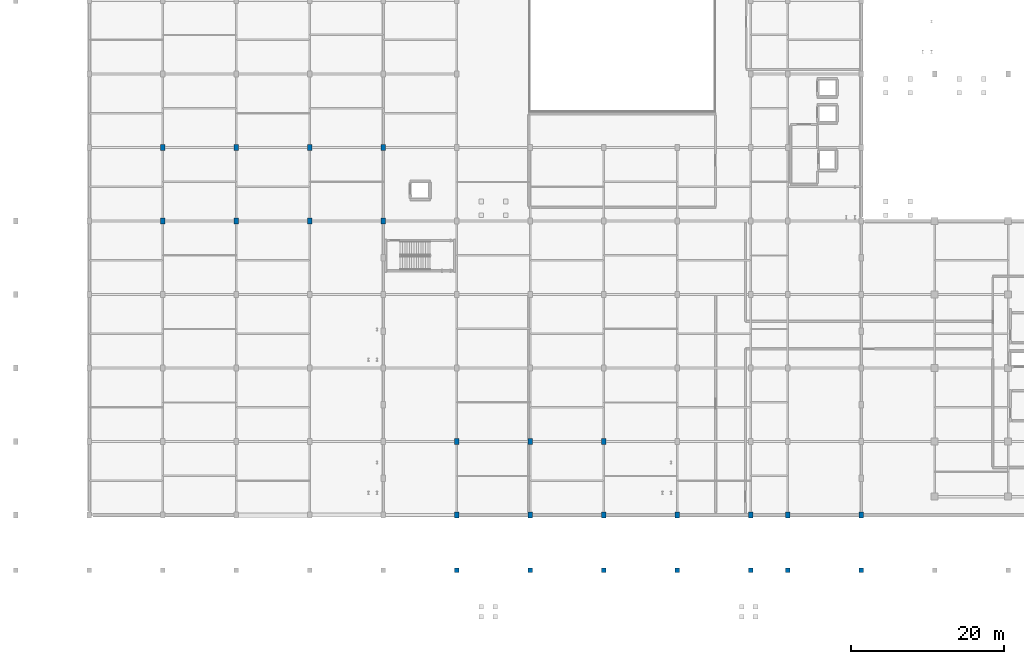
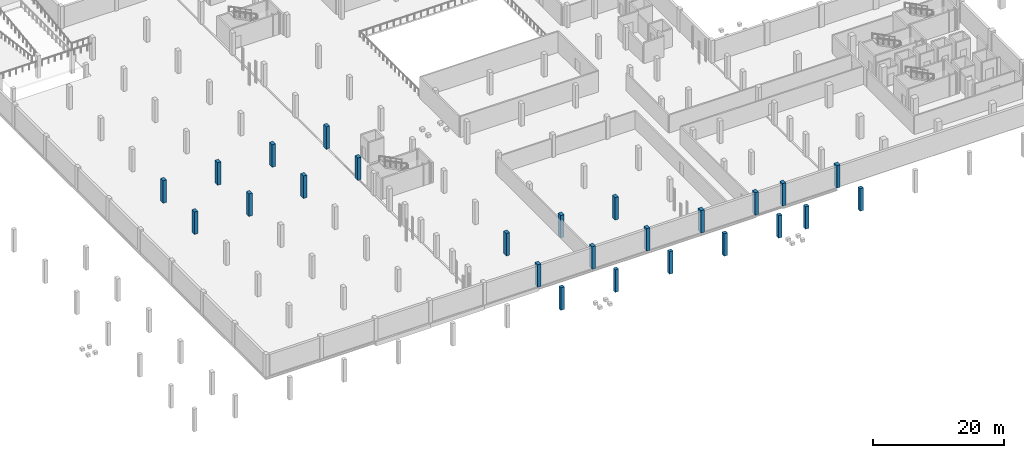
# One storey, part 5 of 47: 25 columns.
"""IFC4 building model written with IfcOpenShell, lengths in metres."""

from ifc_helpers import new_model, si_unit, direction, frame, origin, origin_2d, place, context, subcontext, project, spatial, rectangle, extrude, material, material_profile, profile_set, type_object, element, save


model = new_model("IFC4")

# Units and contexts
model_context = context("Model", 3, precision=1e-05, world=origin(), true_north=direction((0.0, 1.0)))
body_context = subcontext(model_context, "Body", "Model", "MODEL_VIEW")
ifc_project = project(units=[si_unit("LENGTHUNIT", "METRE"), si_unit("AREAUNIT", "SQUARE_METRE"), si_unit("VOLUMEUNIT", "CUBIC_METRE"), si_unit("PLANEANGLEUNIT", "RADIAN"), si_unit("MASSUNIT", "GRAM", prefix="KILO")], contexts=[model_context])

# Site, building, storey
site_placement = place(None, origin())
site = spatial("IfcSite", under=ifc_project, at=site_placement, CompositionType="ELEMENT")
building_placement = place(site_placement, origin())
building = spatial("IfcBuilding", under=site, at=building_placement, Name="Zevrakil Square Congress Hotel", CompositionType="ELEMENT")
storey_placement = place(building_placement, frame((0.0, 0.0, -4.199951171875)))
storey = spatial("IfcBuildingStorey", under=building, at=storey_placement, Name="B1", CompositionType="ELEMENT", Elevation=-4.199951171875)

# Columns
ifc_material_1 = material(Name="Concrete C40/50", Category="concrete")
ifc_material_profile_1 = material_profile(ifc_material_1, rectangle(XDim=0.60009765625, YDim=0.60009765625, at=origin_2d()), Name="RC 600x600")
ifc_profile_set_1 = profile_set([ifc_material_profile_1], Name="Concrete C40/50")
column_type_1 = type_object("IfcColumnType", Name="COL-RC600", PredefinedType="COLUMN", material=ifc_profile_set_1)
for number, where, z_axis, x_axis, name in (
    (1, (64.800048828125, 0.0, 0.0), (0.0, 0.0, 1.0), (1.0, 0.0, 0.0), "B1 column C-099"),
    (2, (74.39990234375, 0.0, 0.0), (0.0, 0.0, 1.0), (1.0, 0.0, 0.0), "B1 column C-113"),
    (3, (84.0, 0.0, 0.0), (0.0, 0.0, 1.0), (1.0, 0.0, 0.0), "B1 column C-125"),
    (4, (93.60009765625, 0.0, 0.0), (0.0, 0.0, 1.0), (1.0, 0.0, 0.0), "B1 column C-137"),
    (5, (103.199951171875, 0.0, 0.0), (0.0, 0.0, 1.0), (1.0, 0.0, 0.0), "B1 column C-149"),
    (6, (108.0, 0.0, 0.0), (0.0, 0.0, 1.0), (1.0, 0.0, 0.0), "B1 column C-163"),
    (7, (117.60009765625, 0.0, 0.0), (0.0, 0.0, 1.0), (1.0, 0.0, 0.0), "B1 column C-177"),
):
    element("IfcColumn", number, at=place(storey_placement, frame(where, z_axis=z_axis, x_axis=x_axis)), inside=storey, type_object=column_type_1, Name=name, PredefinedType="COLUMN", context=body_context, shape_type="SweptSolid", body=[
        extrude(rectangle(XDim=0.60009765625, YDim=0.60009765625, at=origin_2d()), origin(), (0.0, 0.0, 1.0), 4.199951171875),
    ])
ifc_material_2 = material(Name="Concrete C40/50", Category="concrete")
ifc_material_profile_2 = material_profile(ifc_material_2, rectangle(XDim=0.60009765625, YDim=0.800048828125, at=origin_2d()), Name="RC 600x800")
ifc_profile_set_2 = profile_set([ifc_material_profile_2], Name="Concrete C40/50")
column_type_2 = type_object("IfcColumnType", Name="COL-RC600x800", PredefinedType="COLUMN", material=ifc_profile_set_2)
for number, where, z_axis, x_axis, name in (
    (8, (26.39990234375, 45.60009765625, 0.0), (0.0, 0.0, 1.0), (1.0, 0.0, 0.0), "B1 column C-045"),
    (9, (26.39990234375, 55.199951171875, 0.0), (0.0, 0.0, 1.0), (1.0, 0.0, 0.0), "B1 column C-046"),
    (10, (36.0, 45.60009765625, 0.0), (0.0, 0.0, 1.0), (1.0, 0.0, 0.0), "B1 column C-058"),
    (11, (36.0, 55.199951171875, 0.0), (0.0, 0.0, 1.0), (1.0, 0.0, 0.0), "B1 column C-059"),
    (12, (45.60009765625, 45.60009765625, 0.0), (0.0, 0.0, 1.0), (1.0, 0.0, 0.0), "B1 column C-072"),
    (13, (45.60009765625, 55.199951171875, 0.0), (0.0, 0.0, 1.0), (1.0, 0.0, 0.0), "B1 column C-073"),
    (14, (55.199951171875, 45.60009765625, 0.0), (0.0, 0.0, 1.0), (1.0, 0.0, 0.0), "B1 column C-090"),
    (15, (55.199951171875, 55.199951171875, 0.0), (0.0, 0.0, 1.0), (1.0, 0.0, 0.0), "B1 column C-091"),
    (16, (64.800048828125, 7.199951171875, 0.0), (0.0, 0.0, 1.0), (1.0, 0.0, 0.0), "B1 column C-100"),
    (17, (64.800048828125, 16.800048828125, 0.0), (0.0, 0.0, 1.0), (1.0, 0.0, 0.0), "B1 column C-101"),
    (18, (74.39990234375, 7.199951171875, 0.0), (0.0, 0.0, 1.0), (1.0, 0.0, 0.0), "B1 column C-114"),
    (19, (74.39990234375, 16.800048828125, 0.0), (0.0, 0.0, 1.0), (1.0, 0.0, 0.0), "B1 column C-115"),
    (20, (84.0, 7.199951171875, 0.0), (0.0, 0.0, 1.0), (1.0, 0.0, 0.0), "B1 column C-126"),
    (21, (84.0, 16.800048828125, 0.0), (0.0, 0.0, 1.0), (1.0, 0.0, 0.0), "B1 column C-127"),
    (22, (93.60009765625, 7.199951171875, 0.0), (0.0, 0.0, 1.0), (1.0, 0.0, 0.0), "B1 column C-138"),
    (23, (103.199951171875, 7.199951171875, 0.0), (0.0, 0.0, 1.0), (1.0, 0.0, 0.0), "B1 column C-150"),
    (24, (108.0, 7.199951171875, 0.0), (0.0, 0.0, 1.0), (1.0, 0.0, 0.0), "B1 column C-164"),
    (25, (117.60009765625, 7.199951171875, 0.0), (0.0, 0.0, 1.0), (1.0, 0.0, 0.0), "B1 column C-178"),
):
    element("IfcColumn", number, at=place(storey_placement, frame(where, z_axis=z_axis, x_axis=x_axis)), inside=storey, type_object=column_type_2, Name=name, PredefinedType="COLUMN", context=body_context, shape_type="SweptSolid", body=[
        extrude(rectangle(XDim=0.60009765625, YDim=0.800048828125, at=origin_2d()), origin(), (0.0, 0.0, 1.0), 4.199951171875),
    ])

save(model, "model.ifc")
